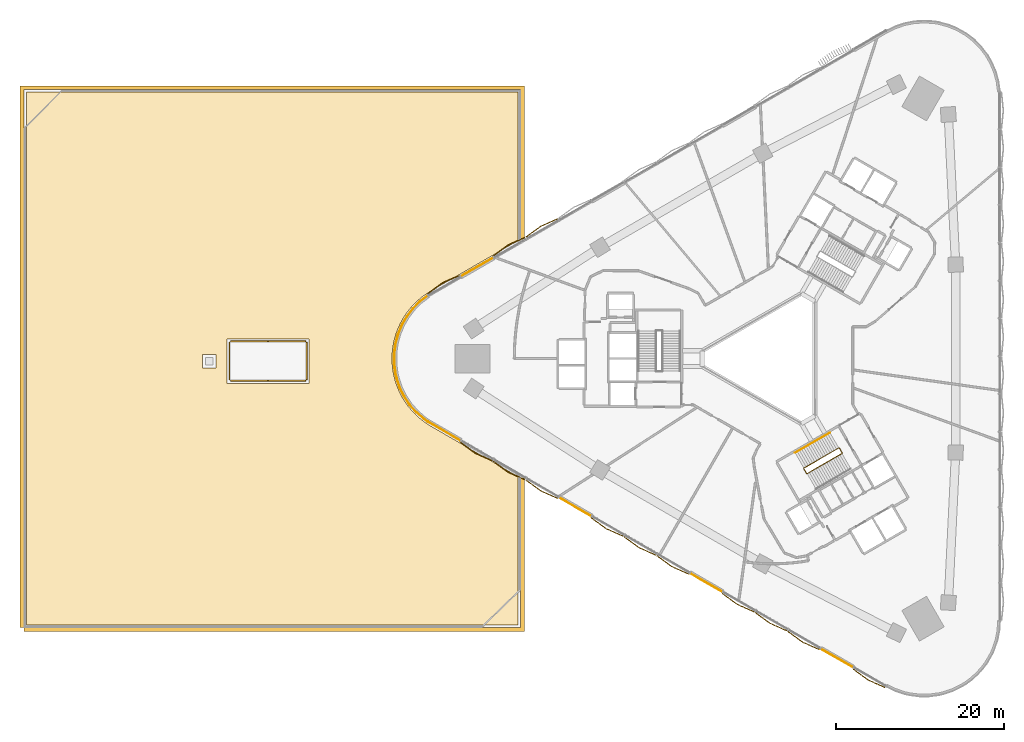
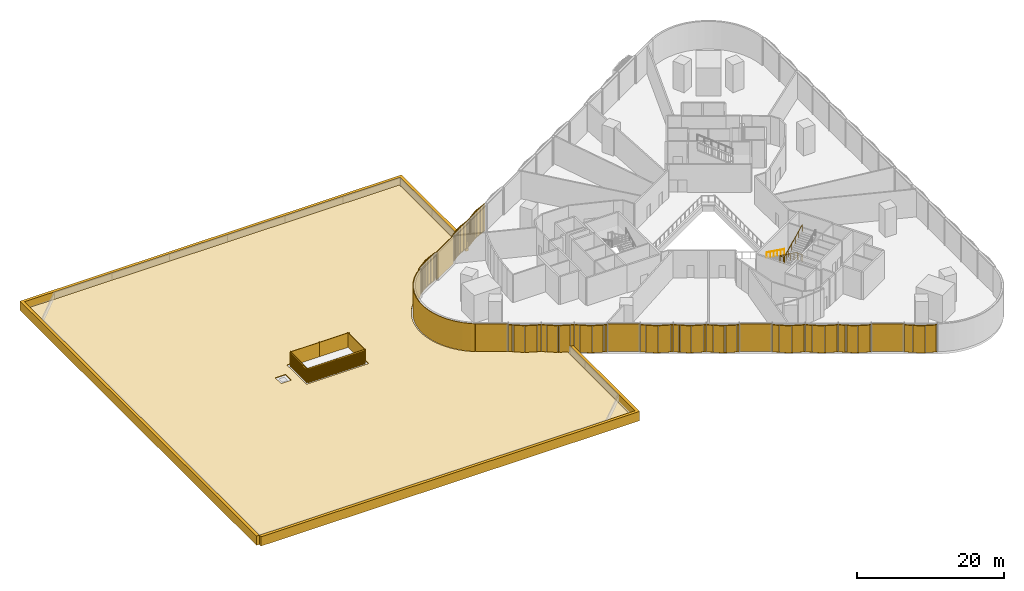
# One storey, part 12 of 14: 28 coverings, 2 railings.
"""IFC4 building model written with IfcOpenShell, lengths in metres."""

from ifc_helpers import new_model, si_unit, direction, frame, frame_2d, origin, origin_2d, place, context, subcontext, project, spatial, polyline, rectangle, circle, outline, extrude, source, transform, mapped, material, layer, layer_set, type_object, element, save


model = new_model("IFC4")

# Units and contexts
model_context = context("Model", 3, precision=1e-05, world=origin(), true_north=direction((0.0, 1.0)))
body_context = subcontext(model_context, "Body", "Model", "MODEL_VIEW")
ifc_project = project(units=[si_unit("LENGTHUNIT", "METRE"), si_unit("AREAUNIT", "SQUARE_METRE"), si_unit("VOLUMEUNIT", "CUBIC_METRE"), si_unit("PLANEANGLEUNIT", "RADIAN"), si_unit("MASSUNIT", "GRAM", prefix="KILO")], contexts=[model_context])

# Site, building, storey
site_placement = place(None, origin())
site = spatial("IfcSite", under=ifc_project, at=site_placement, CompositionType="ELEMENT")
building_placement = place(site_placement, origin())
building = spatial("IfcBuilding", under=site, at=building_placement, Name="Tamra Quay Hotel Tower", CompositionType="ELEMENT")
storey_placement = place(building_placement, frame((0.0, 0.0, 24.5)))
storey = spatial("IfcBuildingStorey", under=building, at=storey_placement, Name="L04", CompositionType="ELEMENT", Elevation=24.5)

# Coverings
ifc_material_1 = material(Name="Precast concrete M60 terracotta-coloured pierced relief", Category="masonry")
ifc_layer_1 = layer(ifc_material_1, 0.10009765625)
ifc_layer_set_1 = layer_set([ifc_layer_1], Name="PIERCED RELIEF PANEL 100")
covering_type_1 = type_object("IfcCoveringType", Name="PIERCED RELIEF PANEL 100", PredefinedType="CLADDING", material=ifc_layer_set_1)
covering_1_placement = place(storey_placement, frame((-35.185791015625, 10.900146484375, 0.0), z_axis=(0.0, 0.0, 1.0), x_axis=(-0.865872289336, -0.500265108278, 0.0)))
element("IfcCovering", 1, at=covering_1_placement, inside=storey, type_object=covering_type_1, Name="Relief panel L04.NW.12", PredefinedType="CLADDING", context=body_context, shape_type="SweptSolid", body=[
    extrude(rectangle(XDim=4.475830078125, YDim=0.10009765625, at=origin_2d()), origin(), (0.0, 0.0, 1.0), 4.60009765625),
])
covering_2_placement = place(storey_placement, origin())
element("IfcCovering", 2, at=covering_2_placement, inside=storey, type_object=covering_type_1, Name="Relief panel L04.c1", PredefinedType="CLADDING", context=body_context, shape_type="SweptSolid", body=[
    extrude(outline(polyline([(-41.000244140625, 7.483154296875), (-41.93408203125, 6.7666015625), (-42.7666015625, 5.93408203125), (-43.483154296875, 5.000244140625), (-44.07177734375, 3.980712890625), (-44.5224609375, 2.89306640625), (-44.8271484375, 1.755859375), (-44.980712890625, 0.588623046875), (-44.980712890625, -0.588623046875), (-44.8271484375, -1.755859375), (-44.693359375, -2.329345703125), (-44.31494140625, -3.444091796875), (-43.794189453125, -4.5), (-43.14013671875, -5.478759765625), (-42.364013671875, -6.364013671875), (-41.478759765625, -7.14013671875), (-41.000244140625, -7.483154296875), (-41.058349609375, -7.564453125), (-41.541015625, -7.218505859375), (-42.4345703125, -6.4345703125), (-43.219482421875, -5.539794921875), (-43.880859375, -4.550048828125), (-44.4072265625, -3.482421875), (-44.78955078125, -2.35693359375), (-44.925537109375, -1.773681640625), (-45.08056640625, -0.59521484375), (-45.08056640625, 0.59521484375), (-44.925048828125, 1.775390625), (-44.616943359375, 2.925048828125), (-44.16162109375, 4.02490234375), (-43.56640625, 5.0556640625), (-42.841796875, 6.0), (-42.0, 6.841796875), (-41.06103515625, 7.5625), (-41.000244140625, 7.483154296875)])), origin(), (0.0, 0.0, 1.0), 4.60009765625),
])
for number, where, z_axis, x_axis, name in (
    (3, (-39.07861328125, -8.651123046875, 0.0), (0.0, 0.0, 1.0), (0.865872289336, -0.500265108278, 0.0), "Relief panel L04.SW.00"),
    (4, (-23.50732421875, -17.647705078125, 0.0), (0.0, 0.0, 1.0), (0.865872289336, -0.500265108278, 0.0), "Relief panel L04.SW.04"),
    (5, (-7.935791015625, -26.644287109375, 0.0), (0.0, 0.0, 1.0), (0.865872289336, -0.500265108278, 0.0), "Relief panel L04.SW.08"),
    (6, (7.6357421875, -35.640625, 0.0), (0.0, 0.0, 1.0), (0.865872289336, -0.500265108278, 0.0), "Relief panel L04.SW.12"),
):
    element("IfcCovering", number, at=place(storey_placement, frame(where, z_axis=z_axis, x_axis=x_axis)), inside=storey, type_object=covering_type_1, Name=name, PredefinedType="CLADDING", context=body_context, shape_type="SweptSolid", body=[
        extrude(rectangle(XDim=4.475830078125, YDim=0.10009765625, at=origin_2d()), origin(), (0.0, 0.0, 1.0), 4.60009765625),
    ])

# Railings
ifc_material_2 = material(Name="Stair guard 1100")
railing_type_1 = type_object("IfcRailingType", Name="Stair guard 1100", PredefinedType="GUARDRAIL", material=ifc_material_2)
railing_1_placement = place(storey_placement, frame((8.245849609375, -11.221923828125, 0.0)))
element("IfcRailing", 7, at=railing_1_placement, inside=storey, type_object=railing_type_1, Name="GR", PredefinedType="GUARDRAIL", context=body_context, shape_type="SweptSolid", body=[
    extrude(circle(Radius=0.02392578125, at=origin_2d()), frame((0.0, 0.0, 1.076171875), z_axis=(-0.500043078269, 0.866000531106, 0.0), x_axis=(-0.866000531106, -0.500043078269, 0.0)), (0.0, 0.0, 1.0), 0.6591796875),
    extrude(circle(Radius=0.02392578125, at=origin_2d()), frame((-0.32958984375, 0.57080078125, 1.076171875), z_axis=(-0.419065426167, 0.112249667723, 0.90099066626), x_axis=(-0.258736085224, -0.965948051503, 0.0)), (0.0, 0.0, 1.0), 0.1630859375),
    extrude(circle(Radius=0.02392578125, at=origin_2d()), frame((-0.39794921875, 0.589111328125, 1.22314453125), z_axis=(-0.777106586887, -0.448679454232, 0.441352580107), x_axis=(0.500014005679, -0.866017317451, 0.0)), (0.0, 0.0, 1.0), 5.331298828125),
    extrude(circle(Radius=0.02392578125, at=origin_2d()), frame((-4.541015625, -1.802978515625, 3.576171875), z_axis=(-0.258736085224, -0.965948051503, 0.0), x_axis=(0.965948051503, -0.258736085224, 0.0)), (0.0, 0.0, 1.0), 0.07080078125),
    extrude(circle(Radius=0.02392578125, at=origin_2d()), frame((-4.559326171875, -1.871337890625, 3.576171875), z_axis=(0.500203519255, -0.865907869998, 0.0), x_axis=(0.865907869998, 0.500203519255, 0.0)), (0.0, 0.0, 1.0), 0.658935546875),
    extrude(circle(Radius=0.02392578125, at=origin_2d()), frame((-4.229736328125, -2.44189453125, 3.576171875), z_axis=(0.419065426167, -0.112249667723, 0.90099066626), x_axis=(0.258736085224, 0.965948051503, 0.0)), (0.0, 0.0, 1.0), 0.1630859375),
    extrude(circle(Radius=0.02392578125, at=origin_2d()), frame((-4.161376953125, -2.460205078125, 3.72314453125), z_axis=(0.777106586887, 0.448679454232, 0.441352580107), x_axis=(-0.500014005679, 0.866017317451, 0.0)), (0.0, 0.0, 1.0), 5.331298828125),
    extrude(circle(Radius=0.02099609375, at=origin_2d()), origin(), (0.0, 0.0, 1.0), 1.052001953125),
    extrude(circle(Radius=0.02099609375, at=origin_2d()), frame((-0.32958984375, 0.57080078125, 0.0)), (0.0, 0.0, 1.0), 1.052001953125),
    extrude(circle(Radius=0.02099609375, at=origin_2d()), frame((-0.39794921875, 0.589111328125, 0.14697265625)), (0.0, 0.0, 1.0), 1.052001953125),
    extrude(circle(Radius=0.02099609375, at=origin_2d()), frame((-1.2265625, 0.110595703125, 0.61767578125)), (0.0, 0.0, 1.0), 1.052001953125),
    extrude(circle(Radius=0.02099609375, at=origin_2d()), frame((-2.05517578125, -0.36767578125, 1.088134765625)), (0.0, 0.0, 1.0), 1.052001953125),
    extrude(circle(Radius=0.02099609375, at=origin_2d()), frame((-2.8837890625, -0.84619140625, 1.558837890625)), (0.0, 0.0, 1.0), 1.052001953125),
    extrude(circle(Radius=0.02099609375, at=origin_2d()), frame((-3.71240234375, -1.324462890625, 2.029296875)), (0.0, 0.0, 1.0), 1.052001953125),
    extrude(circle(Radius=0.02099609375, at=origin_2d()), frame((-4.541015625, -1.802978515625, 2.5)), (0.0, 0.0, 1.0), 1.052001953125),
    extrude(circle(Radius=0.02099609375, at=origin_2d()), frame((-4.559326171875, -1.871337890625, 2.5)), (0.0, 0.0, 1.0), 1.052001953125),
    extrude(circle(Radius=0.02099609375, at=origin_2d()), frame((-4.229736328125, -2.44189453125, 2.5)), (0.0, 0.0, 1.0), 1.052001953125),
    extrude(circle(Radius=0.02099609375, at=origin_2d()), frame((-4.161376953125, -2.460205078125, 2.64697265625)), (0.0, 0.0, 1.0), 1.052001953125),
    extrude(circle(Radius=0.02099609375, at=origin_2d()), frame((-3.332763671875, -1.981689453125, 3.11767578125)), (0.0, 0.0, 1.0), 1.052001953125),
    extrude(circle(Radius=0.02099609375, at=origin_2d()), frame((-2.504150390625, -1.50341796875, 3.588134765625)), (0.0, 0.0, 1.0), 1.052001953125),
    extrude(circle(Radius=0.02099609375, at=origin_2d()), frame((-1.675537109375, -1.02490234375, 4.058837890625)), (0.0, 0.0, 1.0), 1.052001953125),
    extrude(circle(Radius=0.02099609375, at=origin_2d()), frame((-0.846923828125, -0.546630859375, 4.529296875)), (0.0, 0.0, 1.0), 1.052001953125),
    extrude(circle(Radius=0.02099609375, at=origin_2d()), frame((-0.018310546875, -0.068115234375, 5.0)), (0.0, 0.0, 1.0), 1.052001953125),
])
ifc_material_3 = material(Name="Stair handrail 900")
railing_type_2 = type_object("IfcRailingType", Name="Stair handrail 900", PredefinedType="HANDRAIL", material=ifc_material_3)
railing_2_placement = place(storey_placement, frame((6.7978515625, -8.814208984375, 0.14697265625)))
element("IfcRailing", 8, at=railing_2_placement, inside=storey, type_object=railing_type_2, Name="HR", PredefinedType="HANDRAIL", context=body_context, shape_type="SweptSolid", body=[
    extrude(circle(Radius=0.02392578125, at=origin_2d()), frame((0.0, 0.0, 0.8759765625), z_axis=(-0.777106586887, -0.448679454232, 0.441352580107), x_axis=(0.500014005679, -0.866017317451, 0.0)), (0.0, 0.0, 1.0), 5.331298828125),
    extrude(circle(Radius=0.02099609375, at=origin_2d()), origin(), (0.0, 0.0, 1.0), 0.851806640625),
    extrude(circle(Radius=0.02099609375, at=origin_2d()), frame((-0.82861328125, -0.478515625, 0.470703125)), (0.0, 0.0, 1.0), 0.851806640625),
    extrude(circle(Radius=0.02099609375, at=origin_2d()), frame((-1.6572265625, -0.956787109375, 0.941162109375)), (0.0, 0.0, 1.0), 0.851806640625),
    extrude(circle(Radius=0.02099609375, at=origin_2d()), frame((-2.48583984375, -1.435302734375, 1.411865234375)), (0.0, 0.0, 1.0), 0.851806640625),
    extrude(circle(Radius=0.02099609375, at=origin_2d()), frame((-3.314453125, -1.91357421875, 1.88232421875)), (0.0, 0.0, 1.0), 0.851806640625),
    extrude(circle(Radius=0.02099609375, at=origin_2d()), frame((-4.14306640625, -2.39208984375, 2.35302734375)), (0.0, 0.0, 1.0), 0.851806640625),
])

# Coverings
ifc_material_4 = material(Name="Precast concrete M60 terracotta-coloured cornice", Category="masonry")
covering_type_2 = type_object("IfcCoveringType", Name="WING CORNICE BAND 450", PredefinedType="MOLDING", material=ifc_material_4)
covering_3_placement = place(storey_placement, frame((0.0, 0.0, -0.449951171875)))
element("IfcCovering", 9, at=covering_3_placement, inside=storey, type_object=covering_type_2, Name="Wing roof cornice 1", PredefinedType="MOLDING", context=body_context, shape_type="SweptSolid", body=[
    extrude(outline(polyline([(-30.0, 14.202880859375), (-29.550048828125, 14.202880859375), (-29.550048828125, 32.449951171875), (-89.550048828125, 32.449951171875), (-89.550048828125, -32.0), (-89.10009765625, -32.0), (-89.10009765625, 32.0), (-30.0, 32.0), (-30.0, 14.202880859375)])), origin(), (0.0, 0.0, 1.0), 1.550048828125),
])
covering_4_placement = place(storey_placement, frame((0.0, 0.0, -0.449951171875)))
element("IfcCovering", 10, at=covering_4_placement, inside=storey, type_object=covering_type_2, Name="Wing roof cornice 2", PredefinedType="MOLDING", context=body_context, shape_type="SweptSolid", body=[
    extrude(outline(polyline([(-89.10009765625, -32.0), (-89.10009765625, -32.449951171875), (-29.550048828125, -32.449951171875), (-29.550048828125, -14.202880859375), (-30.0, -14.202880859375), (-30.0, -32.0), (-89.10009765625, -32.0)])), origin(), (0.0, 0.0, 1.0), 1.550048828125),
])
ifc_material_5 = material(Name="Sedum planting on drainage layer")
ifc_layer_2 = layer(ifc_material_5, 0.1201171875)
ifc_layer_set_2 = layer_set([ifc_layer_2], Name="WING GREEN ROOF 120")
covering_type_3 = type_object("IfcCoveringType", Name="WING GREEN ROOF 120", PredefinedType="ROOFING", material=ifc_layer_set_2)
covering_5_placement = place(storey_placement, origin())
element("IfcCovering", 11, at=covering_5_placement, inside=storey, type_object=covering_type_3, Name="Wing green roof", PredefinedType="ROOFING", context=body_context, shape_type="SweptSolid", body=[
    extrude(outline(polyline([(-88.800048828125, 31.699951171875), (-88.800048828125, -31.699951171875), (-30.300048828125, -31.699951171875), (-30.300048828125, -14.029541015625), (-40.654296875, -8.051513671875), (-41.1669921875, -7.73291015625), (-41.66162109375, -7.37841796875), (-42.132080078125, -6.9921875), (-42.576171875, -6.576171875), (-42.9921875, -6.132080078125), (-43.37841796875, -5.66162109375), (-43.73291015625, -5.1669921875), (-44.05419921875, -4.650146484375), (-44.341064453125, -4.11328125), (-44.59228515625, -3.55908203125), (-44.806640625, -2.989501953125), (-44.9833984375, -2.406982421875), (-45.12158203125, -1.814453125), (-45.220703125, -1.2138671875), (-45.2802734375, -0.6083984375), (-45.30029296875, 0.0), (-45.2802734375, 0.6083984375), (-45.220703125, 1.2138671875), (-45.12158203125, 1.814453125), (-44.9833984375, 2.406982421875), (-44.806640625, 2.989501953125), (-44.59228515625, 3.55908203125), (-44.341064453125, 4.11328125), (-44.05419921875, 4.650146484375), (-43.73291015625, 5.1669921875), (-43.37841796875, 5.66162109375), (-42.9921875, 6.132080078125), (-42.576171875, 6.576171875), (-42.132080078125, 6.9921875), (-41.66162109375, 7.37841796875), (-41.1669921875, 7.73291015625), (-40.654296875, 8.051513671875), (-30.300048828125, 14.029541015625), (-30.300048828125, 31.699951171875), (-88.800048828125, 31.699951171875)]), holes=[polyline([(-67.84521484375, -1.09423828125), (-66.2451171875, -1.09423828125), (-66.2451171875, 0.505615234375), (-67.84521484375, 0.505615234375), (-67.84521484375, -1.09423828125)]), polyline([(-64.9453125, -2.9443359375), (-55.145263671875, -2.9443359375), (-55.145263671875, 2.355712890625), (-64.9453125, 2.355712890625), (-64.9453125, -2.9443359375)])]), origin(), (0.0, 0.0, 1.0), 0.1201171875),
])
ifc_material_6 = material(Name="Terracotta baguette extruded", Category="masonry")
covering_type_4 = type_object("IfcCoveringType", Name="BAGUETTE SCREEN PODIUM-SHALLOW H4600", PredefinedType="USERDEFINED", material=ifc_material_6)
shared_shape_1 = source(origin(), body_context, "Body", "SweptSolid", [
    extrude(rectangle(XDim=2.214599609375, YDim=0.06005859375, at=frame_2d((1.107421875, 0.030029296875))), frame((-2.208740234375, -0.0576171875, -0.1201171875), z_axis=(0.0, 0.0, 1.0), x_axis=(0.994521895368, -0.104528463268, 0.0)), (0.0, 0.0, 1.0), 0.1201171875),
    extrude(rectangle(XDim=2.214599609375, YDim=0.06005859375, at=frame_2d((1.107421875, 0.030029296875))), frame((-2.208740234375, -0.0576171875, -4.60009765625), z_axis=(0.0, 0.0, 1.0), x_axis=(0.994521895368, -0.104528463268, 0.0)), (0.0, 0.0, 1.0), 0.1201171875),
    extrude(rectangle(XDim=0.094970703125, YDim=0.10009765625, at=frame_2d((0.04736328125, 0.050048828125))), frame((-2.199951171875, -0.13330078125, -4.5400390625)), (0.0, 0.0, 1.0), 4.47998046875),
    extrude(rectangle(XDim=0.094970703125, YDim=0.10009765625, at=frame_2d((0.04736328125, 0.050048828125))), frame((-2.099853515625, -0.143798828125, -4.5400390625)), (0.0, 0.0, 1.0), 4.47998046875),
    extrude(rectangle(XDim=0.094970703125, YDim=0.10009765625, at=frame_2d((0.04736328125, 0.050048828125))), frame((-1.999755859375, -0.154296875, -4.5400390625)), (0.0, 0.0, 1.0), 4.47998046875),
    extrude(rectangle(XDim=0.094970703125, YDim=0.10009765625, at=frame_2d((0.04736328125, 0.050048828125))), frame((-1.899658203125, -0.164794921875, -4.5400390625)), (0.0, 0.0, 1.0), 4.47998046875),
    extrude(rectangle(XDim=0.094970703125, YDim=0.10009765625, at=frame_2d((0.04736328125, 0.050048828125))), frame((-1.799560546875, -0.17529296875, -4.5400390625)), (0.0, 0.0, 1.0), 4.47998046875),
    extrude(rectangle(XDim=0.094970703125, YDim=0.10009765625, at=frame_2d((0.04736328125, 0.050048828125))), frame((-1.699462890625, -0.185791015625, -4.5400390625)), (0.0, 0.0, 1.0), 4.47998046875),
    extrude(rectangle(XDim=0.094970703125, YDim=0.10009765625, at=frame_2d((0.04736328125, 0.050048828125))), frame((-1.599365234375, -0.1962890625, -4.5400390625)), (0.0, 0.0, 1.0), 4.47998046875),
    extrude(rectangle(XDim=0.094970703125, YDim=0.10009765625, at=frame_2d((0.04736328125, 0.050048828125))), frame((-1.499267578125, -0.20703125, -4.5400390625)), (0.0, 0.0, 1.0), 4.47998046875),
    extrude(rectangle(XDim=0.094970703125, YDim=0.10009765625, at=frame_2d((0.04736328125, 0.050048828125))), frame((-1.39892578125, -0.217529296875, -4.5400390625)), (0.0, 0.0, 1.0), 4.47998046875),
    extrude(rectangle(XDim=0.094970703125, YDim=0.10009765625, at=frame_2d((0.04736328125, 0.050048828125))), frame((-1.298828125, -0.22802734375, -4.5400390625)), (0.0, 0.0, 1.0), 4.47998046875),
    extrude(rectangle(XDim=0.094970703125, YDim=0.10009765625, at=frame_2d((0.04736328125, 0.050048828125))), frame((-1.19873046875, -0.238525390625, -4.5400390625)), (0.0, 0.0, 1.0), 4.47998046875),
    extrude(rectangle(XDim=0.094970703125, YDim=0.10009765625, at=frame_2d((0.04736328125, 0.050048828125))), frame((-1.0986328125, -0.2490234375, -4.5400390625)), (0.0, 0.0, 1.0), 4.47998046875),
    extrude(rectangle(XDim=0.094970703125, YDim=0.10009765625, at=frame_2d((0.04736328125, 0.050048828125))), frame((-0.99853515625, -0.259521484375, -4.5400390625)), (0.0, 0.0, 1.0), 4.47998046875),
    extrude(rectangle(XDim=0.094970703125, YDim=0.10009765625, at=frame_2d((0.04736328125, 0.050048828125))), frame((-0.8984375, -0.27001953125, -4.5400390625)), (0.0, 0.0, 1.0), 4.47998046875),
    extrude(rectangle(XDim=0.094970703125, YDim=0.10009765625, at=frame_2d((0.04736328125, 0.050048828125))), frame((-0.79833984375, -0.280517578125, -4.5400390625)), (0.0, 0.0, 1.0), 4.47998046875),
    extrude(rectangle(XDim=0.094970703125, YDim=0.10009765625, at=frame_2d((0.04736328125, 0.050048828125))), frame((-0.6982421875, -0.291015625, -4.5400390625)), (0.0, 0.0, 1.0), 4.47998046875),
    extrude(rectangle(XDim=0.094970703125, YDim=0.10009765625, at=frame_2d((0.04736328125, 0.050048828125))), frame((-0.59814453125, -0.301513671875, -4.5400390625)), (0.0, 0.0, 1.0), 4.47998046875),
    extrude(rectangle(XDim=0.094970703125, YDim=0.10009765625, at=frame_2d((0.04736328125, 0.050048828125))), frame((-0.498046875, -0.312255859375, -4.5400390625)), (0.0, 0.0, 1.0), 4.47998046875),
    extrude(rectangle(XDim=0.094970703125, YDim=0.10009765625, at=frame_2d((0.04736328125, 0.050048828125))), frame((-0.39794921875, -0.32275390625, -4.5400390625)), (0.0, 0.0, 1.0), 4.47998046875),
    extrude(rectangle(XDim=0.094970703125, YDim=0.10009765625, at=frame_2d((0.04736328125, 0.050048828125))), frame((-0.2978515625, -0.333251953125, -4.5400390625)), (0.0, 0.0, 1.0), 4.47998046875),
    extrude(rectangle(XDim=0.094970703125, YDim=0.10009765625, at=frame_2d((0.04736328125, 0.050048828125))), frame((-0.19775390625, -0.34375, -4.5400390625)), (0.0, 0.0, 1.0), 4.47998046875),
    extrude(rectangle(XDim=0.094970703125, YDim=0.10009765625, at=frame_2d((0.04736328125, 0.050048828125))), frame((-0.09765625, -0.354248046875, -4.5400390625)), (0.0, 0.0, 1.0), 4.47998046875),
    extrude(rectangle(XDim=2.214599609375, YDim=0.06005859375, at=frame_2d((1.107421875, 0.030029296875))), frame((0.00634765625, -0.2890625, -0.1201171875), z_axis=(0.0, 0.0, 1.0), x_axis=(0.994521895368, 0.104528463268, 0.0)), (0.0, 0.0, 1.0), 0.1201171875),
    extrude(rectangle(XDim=2.214599609375, YDim=0.06005859375, at=frame_2d((1.107421875, 0.030029296875))), frame((0.00634765625, -0.2890625, -4.60009765625), z_axis=(0.0, 0.0, 1.0), x_axis=(0.994521895368, 0.104528463268, 0.0)), (0.0, 0.0, 1.0), 0.1201171875),
    extrude(rectangle(XDim=0.094970703125, YDim=0.10009765625, at=frame_2d((0.04736328125, 0.050048828125))), frame((0.00244140625, -0.354248046875, -4.5400390625)), (0.0, 0.0, 1.0), 4.47998046875),
    extrude(rectangle(XDim=0.094970703125, YDim=0.10009765625, at=frame_2d((0.04736328125, 0.050048828125))), frame((0.102783203125, -0.34375, -4.5400390625)), (0.0, 0.0, 1.0), 4.47998046875),
    extrude(rectangle(XDim=0.094970703125, YDim=0.10009765625, at=frame_2d((0.04736328125, 0.050048828125))), frame((0.202880859375, -0.333251953125, -4.5400390625)), (0.0, 0.0, 1.0), 4.47998046875),
    extrude(rectangle(XDim=0.094970703125, YDim=0.10009765625, at=frame_2d((0.04736328125, 0.050048828125))), frame((0.302978515625, -0.32275390625, -4.5400390625)), (0.0, 0.0, 1.0), 4.47998046875),
    extrude(rectangle(XDim=0.094970703125, YDim=0.10009765625, at=frame_2d((0.04736328125, 0.050048828125))), frame((0.403076171875, -0.312255859375, -4.5400390625)), (0.0, 0.0, 1.0), 4.47998046875),
    extrude(rectangle(XDim=0.094970703125, YDim=0.10009765625, at=frame_2d((0.04736328125, 0.050048828125))), frame((0.503173828125, -0.301513671875, -4.5400390625)), (0.0, 0.0, 1.0), 4.47998046875),
    extrude(rectangle(XDim=0.094970703125, YDim=0.10009765625, at=frame_2d((0.04736328125, 0.050048828125))), frame((0.603271484375, -0.291015625, -4.5400390625)), (0.0, 0.0, 1.0), 4.47998046875),
    extrude(rectangle(XDim=0.094970703125, YDim=0.10009765625, at=frame_2d((0.04736328125, 0.050048828125))), frame((0.703369140625, -0.280517578125, -4.5400390625)), (0.0, 0.0, 1.0), 4.47998046875),
    extrude(rectangle(XDim=0.094970703125, YDim=0.10009765625, at=frame_2d((0.04736328125, 0.050048828125))), frame((0.803466796875, -0.27001953125, -4.5400390625)), (0.0, 0.0, 1.0), 4.47998046875),
    extrude(rectangle(XDim=0.094970703125, YDim=0.10009765625, at=frame_2d((0.04736328125, 0.050048828125))), frame((0.903564453125, -0.259521484375, -4.5400390625)), (0.0, 0.0, 1.0), 4.47998046875),
    extrude(rectangle(XDim=0.094970703125, YDim=0.10009765625, at=frame_2d((0.04736328125, 0.050048828125))), frame((1.003662109375, -0.2490234375, -4.5400390625)), (0.0, 0.0, 1.0), 4.47998046875),
    extrude(rectangle(XDim=0.094970703125, YDim=0.10009765625, at=frame_2d((0.04736328125, 0.050048828125))), frame((1.103759765625, -0.238525390625, -4.5400390625)), (0.0, 0.0, 1.0), 4.47998046875),
    extrude(rectangle(XDim=0.094970703125, YDim=0.10009765625, at=frame_2d((0.04736328125, 0.050048828125))), frame((1.203857421875, -0.22802734375, -4.5400390625)), (0.0, 0.0, 1.0), 4.47998046875),
    extrude(rectangle(XDim=0.094970703125, YDim=0.10009765625, at=frame_2d((0.04736328125, 0.050048828125))), frame((1.303955078125, -0.217529296875, -4.5400390625)), (0.0, 0.0, 1.0), 4.47998046875),
    extrude(rectangle(XDim=0.094970703125, YDim=0.10009765625, at=frame_2d((0.04736328125, 0.050048828125))), frame((1.404052734375, -0.20703125, -4.5400390625)), (0.0, 0.0, 1.0), 4.47998046875),
    extrude(rectangle(XDim=0.094970703125, YDim=0.10009765625, at=frame_2d((0.04736328125, 0.050048828125))), frame((1.504150390625, -0.1962890625, -4.5400390625)), (0.0, 0.0, 1.0), 4.47998046875),
    extrude(rectangle(XDim=0.094970703125, YDim=0.10009765625, at=frame_2d((0.04736328125, 0.050048828125))), frame((1.6044921875, -0.185791015625, -4.5400390625)), (0.0, 0.0, 1.0), 4.47998046875),
    extrude(rectangle(XDim=0.094970703125, YDim=0.10009765625, at=frame_2d((0.04736328125, 0.050048828125))), frame((1.70458984375, -0.17529296875, -4.5400390625)), (0.0, 0.0, 1.0), 4.47998046875),
    extrude(rectangle(XDim=0.094970703125, YDim=0.10009765625, at=frame_2d((0.04736328125, 0.050048828125))), frame((1.8046875, -0.164794921875, -4.5400390625)), (0.0, 0.0, 1.0), 4.47998046875),
    extrude(rectangle(XDim=0.094970703125, YDim=0.10009765625, at=frame_2d((0.04736328125, 0.050048828125))), frame((1.90478515625, -0.154296875, -4.5400390625)), (0.0, 0.0, 1.0), 4.47998046875),
    extrude(rectangle(XDim=0.094970703125, YDim=0.10009765625, at=frame_2d((0.04736328125, 0.050048828125))), frame((2.0048828125, -0.143798828125, -4.5400390625)), (0.0, 0.0, 1.0), 4.47998046875),
    extrude(rectangle(XDim=0.094970703125, YDim=0.10009765625, at=frame_2d((0.04736328125, 0.050048828125))), frame((2.10498046875, -0.13330078125, -4.5400390625)), (0.0, 0.0, 1.0), 4.47998046875),
])
for number, where, z_axis, x_axis, name in (
    (12, (-27.44921875, 15.4833984375, 4.60009765625), (0.0, 0.0, 1.0), (-0.865872289336, -0.500265108278, 0.0), "Baguette screen L04.NW.f07"),
    (13, (-31.342041015625, 13.234130859375, 4.60009765625), (0.0, 0.0, 1.0), (-0.865872289336, -0.500265108278, 0.0), "Baguette screen L04.NW.f08"),
    (14, (-39.127685546875, 8.73583984375, 4.60009765625), (0.0, 0.0, 1.0), (-0.865872289336, -0.500265108278, 0.0), "Baguette screen L04.NW.f09"),
    (15, (-35.23486328125, -10.985107421875, 4.60009765625), (0.0, 0.0, 1.0), (0.865872289336, -0.500265108278, 0.0), "Baguette screen L04.SW.f00"),
    (16, (-31.342041015625, -13.234130859375, 4.60009765625), (0.0, 0.0, 1.0), (0.865872289336, -0.500265108278, 0.0), "Baguette screen L04.SW.f01"),
    (17, (-27.44921875, -15.4833984375, 4.60009765625), (0.0, 0.0, 1.0), (0.865872289336, -0.500265108278, 0.0), "Baguette screen L04.SW.f02"),
    (18, (-19.663330078125, -19.981689453125, 4.60009765625), (0.0, 0.0, 1.0), (0.865872289336, -0.500265108278, 0.0), "Baguette screen L04.SW.f03"),
    (19, (-15.7705078125, -22.230712890625, 4.60009765625), (0.0, 0.0, 1.0), (0.865872289336, -0.500265108278, 0.0), "Baguette screen L04.SW.f04"),
    (20, (-11.877685546875, -24.47998046875, 4.60009765625), (0.0, 0.0, 1.0), (0.865872289336, -0.500265108278, 0.0), "Baguette screen L04.SW.f05"),
    (21, (-4.092041015625, -28.978271484375, 4.60009765625), (0.0, 0.0, 1.0), (0.865872289336, -0.500265108278, 0.0), "Baguette screen L04.SW.f06"),
    (22, (-0.198974609375, -31.227294921875, 4.60009765625), (0.0, 0.0, 1.0), (0.865872289336, -0.500265108278, 0.0), "Baguette screen L04.SW.f07"),
    (23, (3.69384765625, -33.4765625, 4.60009765625), (0.0, 0.0, 1.0), (0.865872289336, -0.500265108278, 0.0), "Baguette screen L04.SW.f08"),
    (24, (11.4794921875, -37.974609375, 4.60009765625), (0.0, 0.0, 1.0), (0.865872289336, -0.500265108278, 0.0), "Baguette screen L04.SW.f09"),
):
    element("IfcCovering", number, at=place(storey_placement, frame(where, z_axis=z_axis, x_axis=x_axis)), inside=storey, type_object=covering_type_4, Name=name, ObjectType="BAGUETTE SCREEN", PredefinedType="USERDEFINED", context=body_context, shape_type="MappedRepresentation", body=[
        mapped(shared_shape_1, transform((0.0, 0.0, 0.0), scale=1.0)),
    ])
ifc_material_7 = material(Name="Terracotta louvre panel", Category="masonry")
covering_type_5 = type_object("IfcCoveringType", Name="PLANT LOUVRE H2400", PredefinedType="USERDEFINED", material=ifc_material_7)
shared_shape_2 = source(origin(), body_context, "Body", "SweptSolid", [
    extrude(rectangle(XDim=4.47998046875, YDim=0.030029296875, at=frame_2d((2.239990234375, 0.01513671875))), frame((-2.239990234375, -0.030029296875, 0.0)), (0.0, 0.0, 1.0), 2.39990234375),
    extrude(rectangle(XDim=0.050048828125, YDim=0.139892578125, at=frame_2d((0.02490234375, 0.06982421875))), frame((-2.239990234375, -0.169921875, 0.0)), (0.0, 0.0, 1.0), 2.39990234375),
    extrude(rectangle(XDim=0.050048828125, YDim=0.139892578125, at=frame_2d((0.02490234375, 0.06982421875))), frame((2.18994140625, -0.169921875, 0.0)), (0.0, 0.0, 1.0), 2.39990234375),
    extrude(rectangle(XDim=4.3798828125, YDim=0.139892578125, at=frame_2d((2.18994140625, 0.06982421875))), frame((-2.18994140625, -0.169921875, 0.050048828125)), (0.0, 0.0, 1.0), 0.034912109375),
    extrude(rectangle(XDim=4.3798828125, YDim=0.139892578125, at=frame_2d((2.18994140625, 0.06982421875))), frame((-2.18994140625, -0.169921875, 0.2099609375)), (0.0, 0.0, 1.0), 0.034912109375),
    extrude(rectangle(XDim=4.3798828125, YDim=0.139892578125, at=frame_2d((2.18994140625, 0.06982421875))), frame((-2.18994140625, -0.169921875, 0.3701171875)), (0.0, 0.0, 1.0), 0.034912109375),
    extrude(rectangle(XDim=4.3798828125, YDim=0.139892578125, at=frame_2d((2.18994140625, 0.06982421875))), frame((-2.18994140625, -0.169921875, 0.530029296875)), (0.0, 0.0, 1.0), 0.034912109375),
    extrude(rectangle(XDim=4.3798828125, YDim=0.139892578125, at=frame_2d((2.18994140625, 0.06982421875))), frame((-2.18994140625, -0.169921875, 0.68994140625)), (0.0, 0.0, 1.0), 0.034912109375),
    extrude(rectangle(XDim=4.3798828125, YDim=0.139892578125, at=frame_2d((2.18994140625, 0.06982421875))), frame((-2.18994140625, -0.169921875, 0.85009765625)), (0.0, 0.0, 1.0), 0.034912109375),
    extrude(rectangle(XDim=4.3798828125, YDim=0.139892578125, at=frame_2d((2.18994140625, 0.06982421875))), frame((-2.18994140625, -0.169921875, 1.010009765625)), (0.0, 0.0, 1.0), 0.034912109375),
    extrude(rectangle(XDim=4.3798828125, YDim=0.139892578125, at=frame_2d((2.18994140625, 0.06982421875))), frame((-2.18994140625, -0.169921875, 1.169921875)), (0.0, 0.0, 1.0), 0.034912109375),
    extrude(rectangle(XDim=4.3798828125, YDim=0.139892578125, at=frame_2d((2.18994140625, 0.06982421875))), frame((-2.18994140625, -0.169921875, 1.330078125)), (0.0, 0.0, 1.0), 0.034912109375),
    extrude(rectangle(XDim=4.3798828125, YDim=0.139892578125, at=frame_2d((2.18994140625, 0.06982421875))), frame((-2.18994140625, -0.169921875, 1.489990234375)), (0.0, 0.0, 1.0), 0.034912109375),
    extrude(rectangle(XDim=4.3798828125, YDim=0.139892578125, at=frame_2d((2.18994140625, 0.06982421875))), frame((-2.18994140625, -0.169921875, 1.64990234375)), (0.0, 0.0, 1.0), 0.034912109375),
    extrude(rectangle(XDim=4.3798828125, YDim=0.139892578125, at=frame_2d((2.18994140625, 0.06982421875))), frame((-2.18994140625, -0.169921875, 1.81005859375)), (0.0, 0.0, 1.0), 0.034912109375),
    extrude(rectangle(XDim=4.3798828125, YDim=0.139892578125, at=frame_2d((2.18994140625, 0.06982421875))), frame((-2.18994140625, -0.169921875, 1.969970703125)), (0.0, 0.0, 1.0), 0.034912109375),
    extrude(rectangle(XDim=4.3798828125, YDim=0.139892578125, at=frame_2d((2.18994140625, 0.06982421875))), frame((-2.18994140625, -0.169921875, 2.1298828125)), (0.0, 0.0, 1.0), 0.034912109375),
])
for number, where, z_axis, x_axis, name in (
    (25, (-62.295166015625, -2.54443359375, 0.0), (0.0, 0.0, 1.0), (1.0, 0.0, 0.0), "Plant louvre wing.00"),
    (26, (-57.795166015625, -2.54443359375, 0.0), (0.0, 0.0, 1.0), (1.0, 0.0, 0.0), "Plant louvre wing.01"),
    (27, (-55.545166015625, -0.29443359375, 0.0), (0.0, 0.0, 1.0), (0.0, 1.0, 0.0), "Plant louvre wing.10"),
    (28, (-57.795166015625, 1.95556640625, 0.0), (0.0, 0.0, 1.0), (-1.0, 0.0, 0.0), "Plant louvre wing.20"),
    (29, (-62.295166015625, 1.95556640625, 0.0), (0.0, 0.0, 1.0), (-1.0, 0.0, 0.0), "Plant louvre wing.21"),
    (30, (-64.545166015625, -0.29443359375, 0.0), (0.0, 0.0, 1.0), (0.0, -1.0, 0.0), "Plant louvre wing.30"),
):
    element("IfcCovering", number, at=place(storey_placement, frame(where, z_axis=z_axis, x_axis=x_axis)), inside=storey, type_object=covering_type_5, Name=name, ObjectType="LOUVER", PredefinedType="USERDEFINED", context=body_context, shape_type="MappedRepresentation", body=[
        mapped(shared_shape_2, transform((0.0, 0.0, 0.0), scale=1.0)),
    ])

save(model, "model.ifc")
